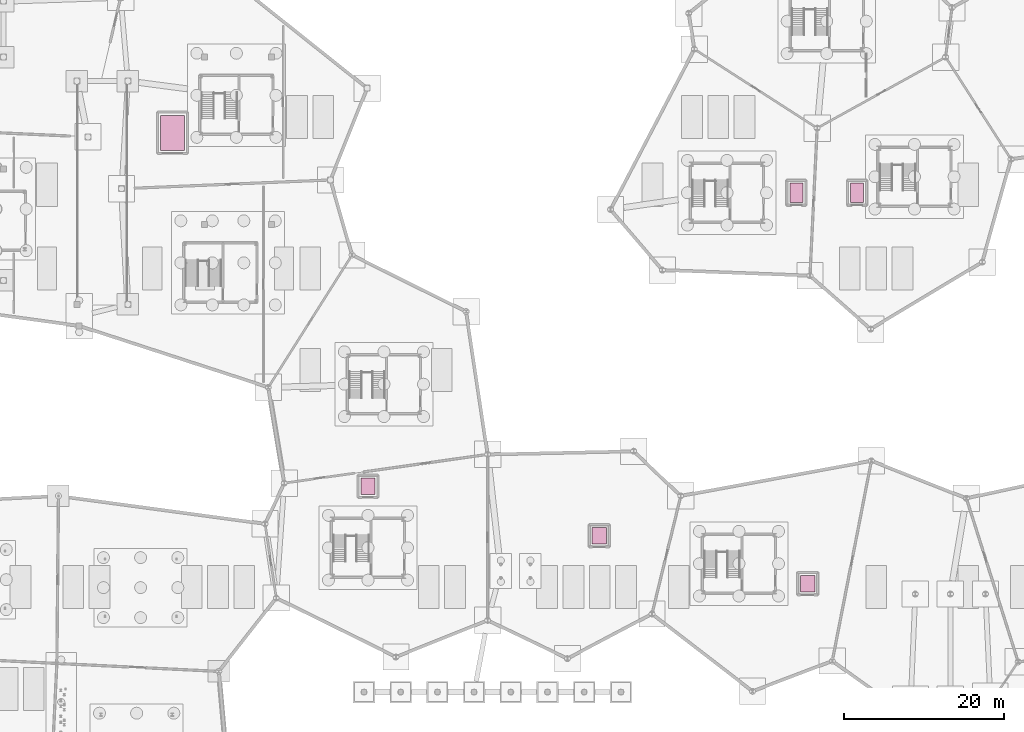
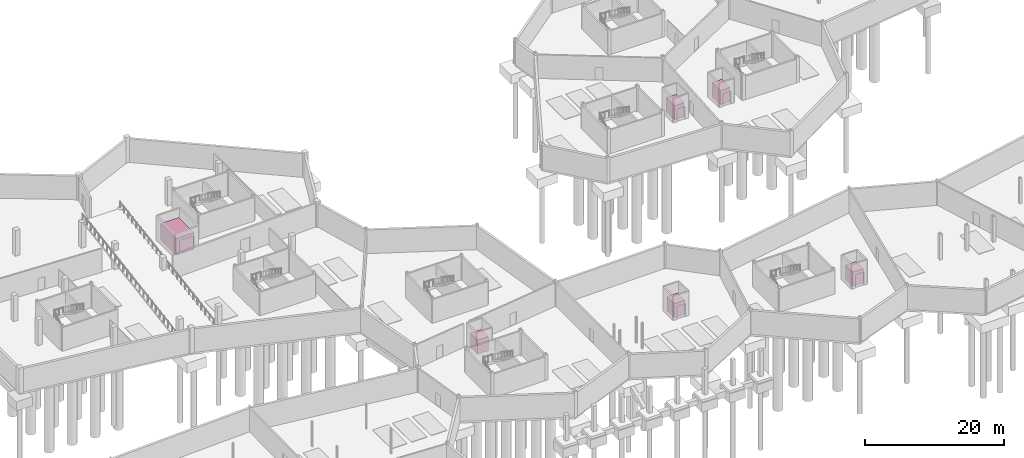
# One storey, part 37 of 37: 6 transport elements.
"""IFC4 building model written with IfcOpenShell, lengths in metres."""

import ifcopenshell
import ifcopenshell.guid

model = None  # the IFC model being written
_history = None  # IfcOwnerHistory: only IFC2X3 demands one
_inside = {}  # id of a spatial element -> (the spatial element, [elements in it])
_under = {}  # id of a project, library or spatial element -> (it, [spatial elements below it])
_declared = {}  # id of a project -> (the project, [libraries it declares])
_typed = {}  # id of a type object -> (the type object, [elements of that type])
_made_of = {}  # id of a material, layer set ... -> (it, [elements and type objects made of it])


def new_model(schema):
    """Start an empty IFC model of exactly this schema.

    Asked for "IFC4X3", IfcOpenShell would pick the latest addendum, in which some entities
    have other attributes; the version numbers below select the first issue.
    IFC2X3 requires an IfcOwnerHistory on every rooted entity: one is made here for all.
    """
    global model, _history
    if schema == "IFC4X3":
        model = ifcopenshell.file(schema_version=(4, 3, 0, 0))
    else:
        model = ifcopenshell.file(schema=schema)
    _inside.clear()
    _under.clear()
    _declared.clear()
    _typed.clear()
    _made_of.clear()
    _history = None
    if model.schema == "IFC2X3":
        org = make("IfcOrganization", Name="unknown")
        user = make(
            "IfcPersonAndOrganization",
            ThePerson=make("IfcPerson", FamilyName="unknown"),
            TheOrganization=org,
        )
        app = make(
            "IfcApplication",
            ApplicationDeveloper=org,
            Version="unknown",
            ApplicationFullName="unknown",
            ApplicationIdentifier="unknown",
        )
        _history = make(
            "IfcOwnerHistory",
            OwningUser=user,
            OwningApplication=app,
            ChangeAction="ADDED",
            CreationDate=0,
        )
    return model


def make(cls, **values):
    """One entity of the class cls with the attributes given. An attribute that is None is left unset."""
    return model.create_entity(
        cls, **{name: value for name, value in values.items() if value is not None}
    )


def rooted(cls, **values):
    """An entity with a GlobalId (a new one), such as an element, a storey or a relation."""
    return make(cls, GlobalId=ifcopenshell.guid.new(), OwnerHistory=_history, **values)


def si_unit(unit_type, name, prefix=None):
    """IfcSIUnit, for example si_unit("LENGTHUNIT", "METRE", prefix="MILLI")."""
    return make("IfcSIUnit", UnitType=unit_type, Prefix=prefix, Name=name)


def assignment(units):
    """IfcUnitAssignment: the units of a project."""
    return None if units is None else make("IfcUnitAssignment", Units=units)


def point(xyz):
    """IfcCartesianPoint."""
    return None if xyz is None else make("IfcCartesianPoint", Coordinates=xyz)


def direction(xyz):
    """IfcDirection."""
    return None if xyz is None else make("IfcDirection", DirectionRatios=xyz)


def frame(location, z_axis=None, x_axis=None):
    """IfcAxis2Placement3D, a coordinate frame: its origin and axes. An axis left out is left unset."""
    return make(
        "IfcAxis2Placement3D",
        Location=point(location),
        Axis=direction(z_axis),
        RefDirection=direction(x_axis),
    )


def frame_2d(location, x_axis=None):
    """IfcAxis2Placement2D, a coordinate frame in the plane: its origin and x axis."""
    return make(
        "IfcAxis2Placement2D", Location=point(location), RefDirection=direction(x_axis)
    )


def origin():
    """The frame at (0, 0, 0) with its axes left unset."""
    return frame((0.0, 0.0, 0.0))


def origin_2d():
    """The frame at (0, 0) in the plane with its x axis left unset."""
    return frame_2d((0.0, 0.0))


def place(relative_to, where):
    """IfcLocalPlacement: puts the frame where relative to a parent placement (None: the world)."""
    return make(
        "IfcLocalPlacement", PlacementRelTo=relative_to, RelativePlacement=where
    )


def context(
    kind, dimensions, precision=None, world=None, true_north=None, identifier=None
):
    """IfcGeometricRepresentationContext, for example the 3D "Model" context."""
    return make(
        "IfcGeometricRepresentationContext",
        ContextIdentifier=identifier,
        ContextType=kind,
        CoordinateSpaceDimension=dimensions,
        Precision=precision,
        WorldCoordinateSystem=world,
        TrueNorth=true_north,
    )


def subcontext(parent, identifier, kind, view, scale=None):
    """IfcGeometricRepresentationSubContext, for example "Body" below "Model"."""
    return make(
        "IfcGeometricRepresentationSubContext",
        ContextIdentifier=identifier,
        ContextType=kind,
        ParentContext=parent,
        TargetScale=scale,
        TargetView=view,
    )


def project(units=None, contexts=None):
    """IfcProject with its units and contexts."""
    return rooted(
        "IfcProject",
        Name="project",
        RepresentationContexts=contexts,
        UnitsInContext=assignment(units),
    )


def spatial(cls, under=None, at=None, **own):
    """A site, building, storey or space (cls), placed at a placement, below another one or the project."""
    s = rooted(cls, ObjectPlacement=at, **own)
    if under is not None:
        _under.setdefault(under.id(), (under, []))[1].append(s)
    return s


def profile(cls, at=None, kind="AREA", **sizes):
    """A parametric profile (cls). Its sizes go by their IFC names, for example OverallWidth=200.0."""
    return make(cls, ProfileType=kind, Position=at, **sizes)


def rectangle(**sizes):
    """IfcRectangleProfileDef."""
    return profile("IfcRectangleProfileDef", **sizes)


def extrude(swept, where, along, depth):
    """IfcExtrudedAreaSolid: the profile swept, set in the frame where, extruded along a direction by depth."""
    return make(
        "IfcExtrudedAreaSolid",
        SweptArea=swept,
        Position=where,
        ExtrudedDirection=direction(along),
        Depth=depth,
    )


def shape(context_of_items, identifier, shape_type, items):
    """IfcShapeRepresentation: the items that make up one representation, for example the "Body"."""
    return make(
        "IfcShapeRepresentation",
        ContextOfItems=context_of_items,
        RepresentationIdentifier=identifier,
        RepresentationType=shape_type,
        Items=items,
    )


def material(Name=None, Category=None):
    """IfcMaterial."""
    return make("IfcMaterial", Name=Name, Category=Category)


def made_of(thing, what):
    """Note that an element or type object is made of a material, layer set ...; save() writes the relation."""
    if what is not None:
        _made_of.setdefault(what.id(), (what, []))[1].append(thing)
    return thing


def type_object(cls, material=None, **own):
    """A type object (cls), such as IfcWallType, which elements share."""
    return made_of(rooted(cls, **own), material)


def element(
    cls,
    number,
    at=None,
    inside=None,
    cuts=None,
    type_object=None,
    material=None,
    context=None,
    identifier="Body",
    shape_type=None,
    held_by="IfcProductDefinitionShape",
    body=None,
    shapes=None,
    **own,
):
    """One element of the class cls, such as IfcWall. Its Tag is "e" and its number.

    at: its placement. inside: the storey or other place that contains it. cuts: it is an
    opening in that element (IfcRelVoidsElement). A single representation is given by context,
    identifier, shape_type and body (its items); several are given by shapes. held_by: the class
    of the entity that holds the representations. save() writes the other relations.
    """
    e = rooted(cls, Tag="e%d" % number, ObjectPlacement=at, **own)
    if body is not None:
        shapes = [shape(context, identifier, shape_type, body)]
    if shapes is not None:
        e.Representation = make(held_by, Representations=shapes)
    if inside is not None:
        _inside.setdefault(inside.id(), (inside, []))[1].append(e)
    if cuts is not None:
        rooted(
            "IfcRelVoidsElement", RelatingBuildingElement=cuts, RelatedOpeningElement=e
        )
    if type_object is not None:
        _typed.setdefault(type_object.id(), (type_object, []))[1].append(e)
    return made_of(e, material)


def aggregate(whole, parts):
    """IfcRelAggregates: a whole, such as a stair, and the parts it consists of."""
    return rooted("IfcRelAggregates", RelatingObject=whole, RelatedObjects=parts)


def save(model, path):
    """Write the relations noted so far, then the file.

    IfcRelAggregates (storeys below a building ...), IfcRelContainedInSpatialStructure (elements
    in a storey), IfcRelDefinesByType, IfcRelAssociatesMaterial and IfcRelDeclares: one each for
    every whole, place, type object, material and project.
    """
    for whole, parts in _under.values():
        aggregate(whole, parts)
    for where, things in _inside.values():
        rooted(
            "IfcRelContainedInSpatialStructure",
            RelatedElements=things,
            RelatingStructure=where,
        )
    for kind, things in _typed.values():
        rooted("IfcRelDefinesByType", RelatedObjects=things, RelatingType=kind)
    for what, things in _made_of.values():
        rooted("IfcRelAssociatesMaterial", RelatedObjects=things, RelatingMaterial=what)
    for by, libraries in _declared.values():
        rooted("IfcRelDeclares", RelatingContext=by, RelatedDefinitions=libraries)
    model.write(path)


model = new_model("IFC4")

# Units and contexts
model_context = context("Model", 3, precision=1e-05, world=origin(), true_north=direction((0.0, 1.0)))
body_context = subcontext(model_context, "Body", "Model", "MODEL_VIEW")
ifc_project = project(units=[si_unit("LENGTHUNIT", "METRE"), si_unit("AREAUNIT", "SQUARE_METRE"), si_unit("VOLUMEUNIT", "CUBIC_METRE"), si_unit("PLANEANGLEUNIT", "RADIAN"), si_unit("MASSUNIT", "GRAM", prefix="KILO")], contexts=[model_context])

# Site, building, storey
site_placement = place(None, origin())
site = spatial("IfcSite", under=ifc_project, at=site_placement, CompositionType="ELEMENT")
building_placement = place(site_placement, origin())
building = spatial("IfcBuilding", under=site, at=building_placement, Name="Tameran Prism Museum", CompositionType="ELEMENT")
storey_placement = place(building_placement, frame((0.0, 0.0, -4.5)))
storey = spatial("IfcBuildingStorey", under=building, at=storey_placement, Name="B1", CompositionType="ELEMENT", Elevation=-4.5)

# Transport elements
ifc_material_1 = material(Name="Stainless Steel 316 Lift Car", Category="steel")
transport_element_type_1 = type_object("IfcTransportElementType", Name="LF-EMG-2100", PredefinedType="ELEVATOR", material=ifc_material_1)
for number, where, z_axis, x_axis, name in (
    (1, (116.199951171875, 81.0, 0.050048828125), (0.0, 0.0, 1.0), (1.0, 0.0, 0.0), "Emergency Stretcher Lift EL-01"),
    (2, (123.800048828125, 81.0, 0.050048828125), (0.0, 0.0, 1.0), (1.0, 0.0, 0.0), "Emergency Stretcher Lift EL-02"),
):
    element("IfcTransportElement", number, at=place(storey_placement, frame(where, z_axis=z_axis, x_axis=x_axis)), inside=storey, type_object=transport_element_type_1, Name=name, PredefinedType="ELEVATOR", context=body_context, shape_type="SweptSolid", body=[
        extrude(rectangle(XDim=1.60009765625, YDim=2.39990234375, at=origin_2d()), origin(), (0.0, 0.0, 1.0), 2.5),
    ])
ifc_material_2 = material(Name="Heavy-Duty Stainless Steel Goods Lift Car", Category="steel")
transport_element_type_2 = type_object("IfcTransportElementType", Name="LF-GOODS-3000", PredefinedType="ELEVATOR", material=ifc_material_2)
transport_element_placement = place(storey_placement, frame((38.0, 88.5, 0.050048828125), z_axis=(0.0, 0.0, 1.0), x_axis=(1.0, 0.0, 0.0)))
element("IfcTransportElement", 3, at=transport_element_placement, inside=storey, type_object=transport_element_type_2, Name="Goods Lift GL-01", PredefinedType="ELEVATOR", context=body_context, shape_type="SweptSolid", body=[
    extrude(rectangle(XDim=3.0, YDim=4.39990234375, at=origin_2d()), origin(), (0.0, 0.0, 1.0), 2.89990234375),
])
ifc_material_3 = material(Name="Stainless Steel 316 Lift Car", Category="steel")
transport_element_type_3 = type_object("IfcTransportElementType", Name="LF-PAS-2000", PredefinedType="ELEVATOR", material=ifc_material_3)
for number, where, z_axis, x_axis, name in (
    (4, (62.5, 44.199951171875, 0.050048828125), (0.0, 0.0, 1.0), (1.0, 0.0, 0.0), "Passenger Lift PL-01"),
    (5, (91.5, 38.0, 0.050048828125), (0.0, 0.0, 1.0), (1.0, 0.0, 0.0), "Passenger Lift PL-02"),
    (6, (117.60009765625, 32.0, 0.050048828125), (0.0, 0.0, 1.0), (1.0, 0.0, 0.0), "Passenger Lift PL-03"),
):
    element("IfcTransportElement", number, at=place(storey_placement, frame(where, z_axis=z_axis, x_axis=x_axis)), inside=storey, type_object=transport_element_type_3, Name=name, PredefinedType="ELEVATOR", context=body_context, shape_type="SweptSolid", body=[
        extrude(rectangle(XDim=1.800048828125, YDim=2.10009765625, at=origin_2d()), origin(), (0.0, 0.0, 1.0), 2.5),
    ])

save(model, "model.ifc")
